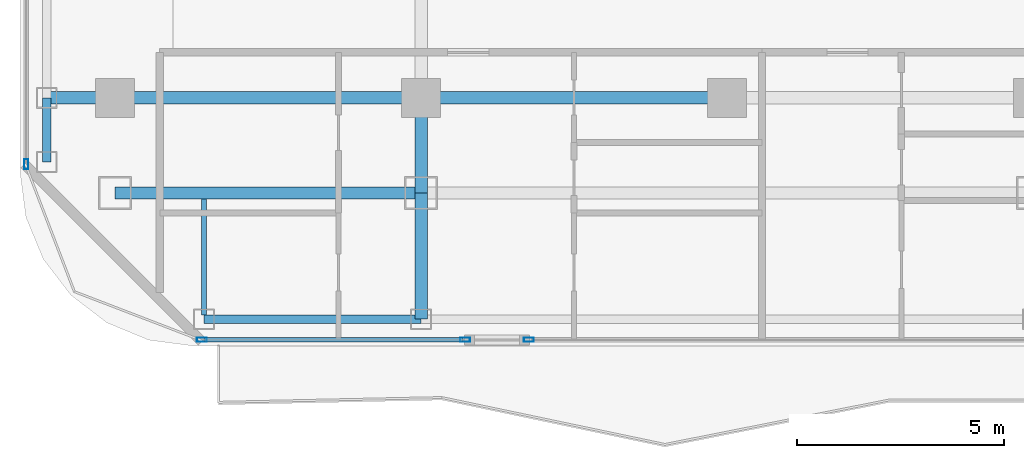
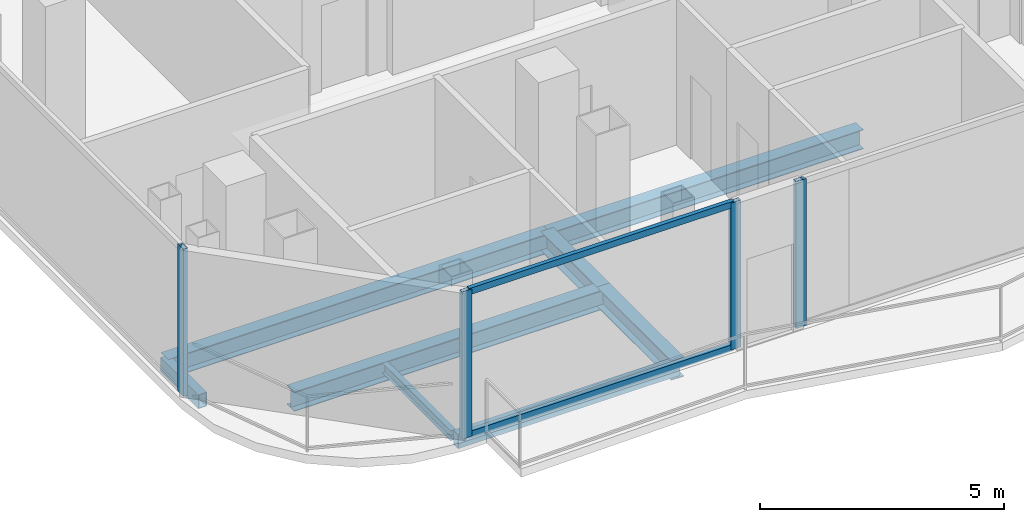
# One storey, part 2 of 23: 8 beams, 6 members, 3 elements without a shape of their own.
"""IFC4 building model written with IfcOpenShell, lengths in metres."""

from ifc_helpers import new_model, si_unit, direction, frame, origin, origin_2d, place, context, subcontext, project, spatial, hollow_rectangle, i_section, extrude, material, layer, layer_set, material_profile, profile_set, type_object, element, aggregate, save


model = new_model("IFC4")

# Units and contexts
model_context = context("Model", 3, precision=1e-05, world=origin(), true_north=direction((0.0, 1.0)))
body_context = subcontext(model_context, "Body", "Model", "MODEL_VIEW")
ifc_project = project(units=[si_unit("LENGTHUNIT", "METRE"), si_unit("AREAUNIT", "SQUARE_METRE"), si_unit("VOLUMEUNIT", "CUBIC_METRE"), si_unit("PLANEANGLEUNIT", "RADIAN"), si_unit("MASSUNIT", "GRAM", prefix="KILO")], contexts=[model_context])

# Site, building, storey
site_placement = place(None, origin())
site = spatial("IfcSite", under=ifc_project, at=site_placement, CompositionType="ELEMENT")
building_placement = place(site_placement, origin())
building = spatial("IfcBuilding", under=site, at=building_placement, Name="Khorvyn Point Tower", CompositionType="ELEMENT")
storey_placement = place(building_placement, frame((0.0, 0.0, 274.199951171875)))
storey = spatial("IfcBuildingStorey", under=building, at=storey_placement, Name="L67", CompositionType="ELEMENT", Elevation=274.199951171875)

# Curtain wall, member
ifc_material_1 = material(Name="Anodised aluminium 6063-T6 and laminated Low-E glass", Category="aluminium")
ifc_layer = layer(ifc_material_1, 0.18994140625)
ifc_layer_set = layer_set([ifc_layer], Name="Stick-Built High-Wind Curtain Wall CW-SYS-04")
curtain_wall_type = type_object("IfcCurtainWallType", Name="Stick-Built High-Wind Curtain Wall CW-SYS-04", PredefinedType="NOTDEFINED", material=ifc_layer_set)
curtain_wall_1_placement = place(storey_placement, origin())
curtain_wall_1 = element("IfcCurtainWall", 1, at=curtain_wall_1_placement, inside=storey, type_object=curtain_wall_type, Name="Curtain Wall", PredefinedType="NOTDEFINED")
ifc_material_2 = material(Name="Anodised aluminium 6063-T6", Category="aluminium")
ifc_material_profile_1 = material_profile(ifc_material_2, hollow_rectangle(XDim=0.10009765625, YDim=0.239990234375, WallThickness=0.0048828125, at=origin_2d()))
ifc_profile_set_1 = profile_set([ifc_material_profile_1], Name="Anodised aluminium 6063-T6 ALU-MUL-100x240")
member_type_1 = type_object("IfcMemberType", Name="Anodised Aluminium 6063-T6 Mullion ALU-MUL-100x240", PredefinedType="MULLION", material=ifc_profile_set_1)
member_1_placement = place(storey_placement, frame((-4.79296875, -20.64990234375, 0.0), z_axis=(0.0, 0.0, 1.0), x_axis=(0.0, -1.0, 0.0)))
member_1 = element("IfcMember", 2, at=member_1_placement, type_object=member_type_1, Name="Transom", PredefinedType="MULLION", context=body_context, shape_type="SweptSolid", body=[
    extrude(hollow_rectangle(XDim=0.10009765625, YDim=0.239990234375, WallThickness=0.0048828125, at=origin_2d()), origin(), (0.0, 0.0, 1.0), 3.679931640625),
])
aggregate(curtain_wall_1, [member_1])

# Curtain wall, members
curtain_wall_2_placement = place(storey_placement, origin())
curtain_wall_2 = element("IfcCurtainWall", 3, at=curtain_wall_2_placement, inside=storey, type_object=curtain_wall_type, Name="Curtain Wall", PredefinedType="NOTDEFINED")
member_2_placement = place(storey_placement, frame((-6.3330078125, -20.64990234375, 0.0), z_axis=(0.0, 0.0, 1.0), x_axis=(0.0, -1.0, 0.0)))
member_2 = element("IfcMember", 4, at=member_2_placement, type_object=member_type_1, Name="Transom", PredefinedType="MULLION", context=body_context, shape_type="SweptSolid", body=[
    extrude(hollow_rectangle(XDim=0.10009765625, YDim=0.239990234375, WallThickness=0.0048828125, at=origin_2d()), origin(), (0.0, 0.0, 1.0), 3.679931640625),
])
member_3_placement = place(storey_placement, frame((-12.699951171875, -20.64990234375, 0.0), z_axis=(0.0, 0.0, 1.0), x_axis=(0.0, -1.0, 0.0)))
member_3 = element("IfcMember", 5, at=member_3_placement, type_object=member_type_1, Name="Transom", PredefinedType="MULLION", context=body_context, shape_type="SweptSolid", body=[
    extrude(hollow_rectangle(XDim=0.10009765625, YDim=0.239990234375, WallThickness=0.0048828125, at=origin_2d()), origin(), (0.0, 0.0, 1.0), 3.679931640625),
])

# Curtain wall, member
curtain_wall_3_placement = place(storey_placement, origin())
curtain_wall_3 = element("IfcCurtainWall", 6, at=curtain_wall_3_placement, inside=storey, type_object=curtain_wall_type, Name="Curtain Wall", PredefinedType="NOTDEFINED")
member_4_placement = place(storey_placement, frame((-16.949951171875, -16.39990234375, 0.0), z_axis=(0.0, 0.0, 1.0), x_axis=(-1.0, 0.0, 0.0)))
member_4 = element("IfcMember", 7, at=member_4_placement, type_object=member_type_1, Name="Transom", PredefinedType="MULLION", context=body_context, shape_type="SweptSolid", body=[
    extrude(hollow_rectangle(XDim=0.10009765625, YDim=0.239990234375, WallThickness=0.0048828125, at=origin_2d()), origin(), (0.0, 0.0, 1.0), 3.679931640625),
])
aggregate(curtain_wall_3, [member_4])

# Member
ifc_material_profile_2 = material_profile(ifc_material_2, hollow_rectangle(XDim=0.10009765625, YDim=0.159912109375, WallThickness=0.00439453125, at=origin_2d()))
ifc_profile_set_2 = profile_set([ifc_material_profile_2], Name="Anodised aluminium 6063-T6 ALU-TRN-100x160")
member_type_2 = type_object("IfcMemberType", Name="Anodised Aluminium 6063-T6 Transom ALU-TRN-100x160", PredefinedType="USERDEFINED", material=ifc_profile_set_2)
member_5_placement = place(storey_placement, frame((-6.383056640625, -20.64990234375, 0.050048828125), z_axis=(-1.0, 0.0, 0.0), x_axis=(0.0, -1.0, 0.0)))
member_5 = element("IfcMember", 8, at=member_5_placement, type_object=member_type_2, Name="Transom", ObjectType="TRANSOM", PredefinedType="USERDEFINED", context=body_context, shape_type="SweptSolid", body=[
    extrude(hollow_rectangle(XDim=0.10009765625, YDim=0.159912109375, WallThickness=0.00439453125, at=origin_2d()), origin(), (0.0, 0.0, 1.0), 6.266845703125),
])

member_6_placement = place(storey_placement, frame((-6.383056640625, -20.64990234375, 3.630126953125), z_axis=(-1.0, 0.0, 0.0), x_axis=(0.0, -1.0, 0.0)))
member_6 = element("IfcMember", 9, at=member_6_placement, type_object=member_type_2, Name="Transom", ObjectType="TRANSOM", PredefinedType="USERDEFINED", context=body_context, shape_type="SweptSolid", body=[
    extrude(hollow_rectangle(XDim=0.10009765625, YDim=0.159912109375, WallThickness=0.00439453125, at=origin_2d()), origin(), (0.0, 0.0, 1.0), 6.266845703125),
])

aggregate(curtain_wall_2, [member_2, member_3, member_5, member_6])

# Beams
ifc_material_3 = material(Name="Steel S355", Category="steel")
ifc_material_profile_3 = material_profile(ifc_material_3, i_section(OverallWidth=0.125, OverallDepth=0.25, WebThickness=0.006103515625, FlangeThickness=0.009033203125, at=origin_2d()))
ifc_profile_set_3 = profile_set([ifc_material_profile_3], Name="Steel S355 H250x125x6x9")
beam_type_1 = type_object("IfcBeamType", Name="Steel S355 Joist H250x125x6x9", PredefinedType="JOIST", material=ifc_profile_set_3)
beam_1_placement = place(storey_placement, frame((-12.64990234375, -20.050048828125, -0.344970703125), z_axis=(0.0, 1.0, 0.0), x_axis=(-1.0, 0.0, 0.0)))
element("IfcBeam", 10, at=beam_1_placement, inside=storey, type_object=beam_type_1, Name="Beam", PredefinedType="JOIST", context=body_context, shape_type="SweptSolid", body=[
    extrude(i_section(OverallWidth=0.125, OverallDepth=0.25, WebThickness=0.006103515625, FlangeThickness=0.009033203125, at=origin_2d()), origin(), (0.0, 0.0, 1.0), 2.800048828125),
])
ifc_material_profile_4 = material_profile(ifc_material_3, i_section(OverallWidth=0.300048828125, OverallDepth=0.488037109375, WebThickness=0.010986328125, FlangeThickness=0.01806640625, at=origin_2d()))
ifc_profile_set_4 = profile_set([ifc_material_profile_4], Name="Steel S355 H488x300x11x18")
beam_type_2 = type_object("IfcBeamType", Name="Steel S355 Spandrel H488x300x11x18", PredefinedType="SPANDREL", material=ifc_profile_set_4)
beam_2_placement = place(storey_placement, frame((-16.449951171875, -14.800048828125, -0.4638671875), z_axis=(1.0, 0.0, 0.0), x_axis=(0.0, 1.0, 0.0)))
element("IfcBeam", 11, at=beam_2_placement, inside=storey, type_object=beam_type_2, Name="Beam", PredefinedType="SPANDREL", context=body_context, shape_type="SweptSolid", body=[
    extrude(i_section(OverallWidth=0.300048828125, OverallDepth=0.488037109375, WebThickness=0.010986328125, FlangeThickness=0.01806640625, at=origin_2d()), origin(), (0.0, 0.0, 1.0), 9.050048828125),
])
beam_3_placement = place(storey_placement, frame((-7.39990234375, -14.800048828125, -0.4638671875), z_axis=(1.0, 0.0, 0.0), x_axis=(0.0, 1.0, 0.0)))
element("IfcBeam", 12, at=beam_3_placement, inside=storey, type_object=beam_type_2, Name="Beam", PredefinedType="SPANDREL", context=body_context, shape_type="SweptSolid", body=[
    extrude(i_section(OverallWidth=0.300048828125, OverallDepth=0.488037109375, WebThickness=0.010986328125, FlangeThickness=0.01806640625, at=origin_2d()), origin(), (0.0, 0.0, 1.0), 7.39990234375),
])
beam_4_placement = place(storey_placement, frame((-14.800048828125, -17.10009765625, -0.4638671875), z_axis=(1.0, 0.0, 0.0), x_axis=(0.0, 1.0, 0.0)))
element("IfcBeam", 13, at=beam_4_placement, inside=storey, type_object=beam_type_2, Name="Beam", PredefinedType="SPANDREL", context=body_context, shape_type="SweptSolid", body=[
    extrude(i_section(OverallWidth=0.300048828125, OverallDepth=0.488037109375, WebThickness=0.010986328125, FlangeThickness=0.01806640625, at=origin_2d()), origin(), (0.0, 0.0, 1.0), 7.400146484375),
])
beam_5_placement = place(storey_placement, frame((-7.39990234375, -20.14990234375, -0.4638671875), z_axis=(0.0, 1.0, 0.0), x_axis=(-1.0, 0.0, 0.0)))
element("IfcBeam", 14, at=beam_5_placement, inside=storey, type_object=beam_type_2, Name="Beam", PredefinedType="SPANDREL", context=body_context, shape_type="SweptSolid", body=[
    extrude(i_section(OverallWidth=0.300048828125, OverallDepth=0.488037109375, WebThickness=0.010986328125, FlangeThickness=0.01806640625, at=origin_2d()), origin(), (0.0, 0.0, 1.0), 3.0498046875),
])
beam_6_placement = place(storey_placement, frame((-7.39990234375, -17.10009765625, -0.4638671875), z_axis=(0.0, 1.0, 0.0), x_axis=(-1.0, 0.0, 0.0)))
element("IfcBeam", 15, at=beam_6_placement, inside=storey, type_object=beam_type_2, Name="Beam", PredefinedType="SPANDREL", context=body_context, shape_type="SweptSolid", body=[
    extrude(i_section(OverallWidth=0.300048828125, OverallDepth=0.488037109375, WebThickness=0.010986328125, FlangeThickness=0.01806640625, at=origin_2d()), origin(), (0.0, 0.0, 1.0), 2.300048828125),
])
ifc_material_profile_5 = material_profile(ifc_material_3, hollow_rectangle(XDim=0.199951171875, YDim=0.35009765625, WallThickness=0.013916015625, at=origin_2d()))
ifc_profile_set_5 = profile_set([ifc_material_profile_5], Name="Steel S355 RHS350x200x14")
beam_type_3 = type_object("IfcBeamType", Name="Steel S355 Spandrel RHS350x200x14", PredefinedType="SPANDREL", material=ifc_profile_set_5)
beam_7_placement = place(storey_placement, frame((-12.64990234375, -20.14990234375, -0.39501953125), z_axis=(1.0, 0.0, 0.0), x_axis=(0.0, 1.0, 0.0)))
element("IfcBeam", 16, at=beam_7_placement, inside=storey, type_object=beam_type_3, Name="Beam", PredefinedType="SPANDREL", context=body_context, shape_type="SweptSolid", body=[
    extrude(hollow_rectangle(XDim=0.199951171875, YDim=0.35009765625, WallThickness=0.013916015625, at=origin_2d()), origin(), (0.0, 0.0, 1.0), 5.25),
])
beam_8_placement = place(storey_placement, frame((-16.449951171875, -16.35009765625, -0.39501953125), z_axis=(0.0, 1.0, 0.0), x_axis=(-1.0, 0.0, 0.0)))
element("IfcBeam", 17, at=beam_8_placement, inside=storey, type_object=beam_type_3, Name="Beam", PredefinedType="SPANDREL", context=body_context, shape_type="SweptSolid", body=[
    extrude(hollow_rectangle(XDim=0.199951171875, YDim=0.35009765625, WallThickness=0.013916015625, at=origin_2d()), origin(), (0.0, 0.0, 1.0), 1.550048828125),
])

save(model, "model.ifc")
